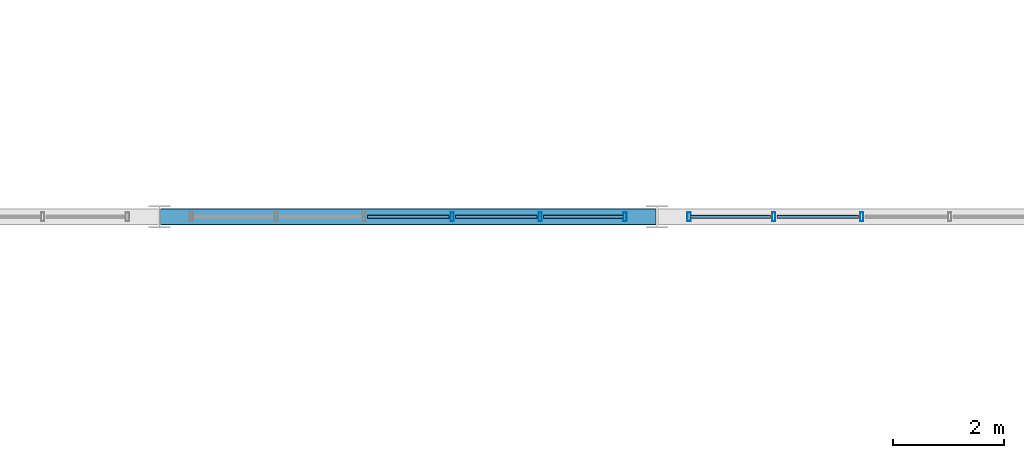
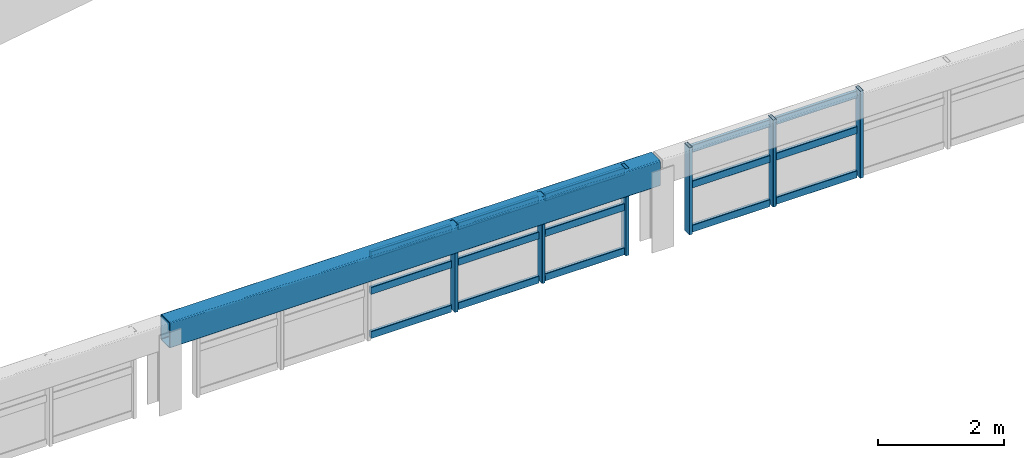
# One storey, part 16 of 128: 21 members, 1 beam, 2 elements without a shape of their own.
"""IFC4 building model written with IfcOpenShell, lengths in metres."""

from ifc_helpers import new_model, si_unit, derived_unit, direction, frame, origin, origin_2d, place, context, subcontext, project, spatial, hollow_rectangle, extrude, material, material_profile, profile_set, type_object, element, aggregate, save


model = new_model("IFC4")

# Units and contexts
model_context = context("Model", 3, precision=1e-05, world=origin(), true_north=direction((0.0, 1.0)))
body_context = subcontext(model_context, "Body", "Model", "MODEL_VIEW")
ifc_project = project(units=[si_unit("LENGTHUNIT", "METRE"), si_unit("AREAUNIT", "SQUARE_METRE"), si_unit("VOLUMEUNIT", "CUBIC_METRE"), si_unit("PLANEANGLEUNIT", "RADIAN"), si_unit("MASSUNIT", "GRAM", prefix="KILO"), derived_unit("THERMALTRANSMITTANCEUNIT", [(si_unit("MASSUNIT", "GRAM", prefix="KILO"), 1), (si_unit("TIMEUNIT", "SECOND"), -3), (si_unit("THERMODYNAMICTEMPERATUREUNIT", "KELVIN"), -1)])], contexts=[model_context])

# Site, building, storey
site_placement = place(None, origin())
site = spatial("IfcSite", under=ifc_project, at=site_placement, CompositionType="ELEMENT")
building_placement = place(site_placement, origin())
building = spatial("IfcBuilding", under=site, at=building_placement, Name="Zhenchuan Archway Interchange", CompositionType="ELEMENT")
storey_placement = place(building_placement, frame((0.0, 0.0, 14.39990234375)))
storey = spatial("IfcBuildingStorey", under=building, at=storey_placement, Name="L03", CompositionType="ELEMENT", Elevation=14.39990234375)

# Beam
ifc_material_1 = material(Name="Steel Q390", Category="steel")
ifc_material_profile_1 = material_profile(ifc_material_1, hollow_rectangle(XDim=0.300048828125, YDim=0.5, WallThickness=0.01611328125, InnerFilletRadius=0.01611328125, OuterFilletRadius=0.031982421875, at=origin_2d()), Name="RHS 500x300x16")
ifc_profile_set_1 = profile_set([ifc_material_profile_1], Name="Steel Q390")
beam_type = type_object("IfcBeamType", Name="BM_RING_RHS500", PredefinedType="BEAM", material=ifc_profile_set_1)
beam_placement = place(storey_placement, frame((45.02001953125, 24.0, 1.4501953125), z_axis=(1.0, 0.0, 0.0), x_axis=(0.0, 1.0, 0.0)))
element("IfcBeam", 1, at=beam_placement, inside=storey, type_object=beam_type, Name="CONCOURSE CABLE-NET RING BEAM S-3", PredefinedType="BEAM", context=body_context, shape_type="SweptSolid", body=[
    extrude(hollow_rectangle(XDim=0.300048828125, YDim=0.5, WallThickness=0.01611328125, InnerFilletRadius=0.01611328125, OuterFilletRadius=0.031982421875, at=origin_2d()), origin(), (0.0, 0.0, 1.0), 8.9599609375),
])

# Curtain wall, members
ifc_material_2 = material(Name="Anodised Aluminium", Category="aluminium")
curtain_wall_type = type_object("IfcCurtainWallType", Name="CW_UNIT_4", PredefinedType="NOTDEFINED", material=ifc_material_2)
curtain_wall_1_placement = place(storey_placement, origin())
curtain_wall_1 = element("IfcCurtainWall", 2, at=curtain_wall_1_placement, inside=storey, type_object=curtain_wall_type, Name="Unitised curtain wall CW:L03:RING-S3", PredefinedType="NOTDEFINED")
ifc_material_profile_2 = material_profile(ifc_material_2, hollow_rectangle(XDim=0.06005859375, YDim=0.159912109375, WallThickness=0.00390625, InnerFilletRadius=0.00390625, OuterFilletRadius=0.008056640625, at=origin_2d()), Name="ALU 160x60x4")
ifc_profile_set_2 = profile_set([ifc_material_profile_2], Name="Anodised Aluminium")
member_type_1 = type_object("IfcMemberType", Name="CW_MUL_150", PredefinedType="MULLION", material=ifc_profile_set_2)
member_1_placement = place(storey_placement, frame((50.2958984375, 24.0, 0.02001953125), z_axis=(0.0, 0.0, 1.0), x_axis=(1.0, 0.0, 0.0)))
member_1 = element("IfcMember", 3, at=member_1_placement, type_object=member_type_1, Name="CW:L03:RING-S3 mullion 3", PredefinedType="MULLION", context=body_context, shape_type="SweptSolid", body=[
    extrude(hollow_rectangle(XDim=0.06005859375, YDim=0.159912109375, WallThickness=0.00390625, InnerFilletRadius=0.00390625, OuterFilletRadius=0.008056640625, at=origin_2d()), origin(), (0.0, 0.0, 1.0), 1.68017578125),
])
member_2_placement = place(storey_placement, frame((51.887939453125, 24.0, 0.02001953125), z_axis=(0.0, 0.0, 1.0), x_axis=(1.0, 0.0, 0.0)))
member_2 = element("IfcMember", 4, at=member_2_placement, type_object=member_type_1, Name="CW:L03:RING-S3 mullion 4", PredefinedType="MULLION", context=body_context, shape_type="SweptSolid", body=[
    extrude(hollow_rectangle(XDim=0.06005859375, YDim=0.159912109375, WallThickness=0.00390625, InnerFilletRadius=0.00390625, OuterFilletRadius=0.008056640625, at=origin_2d()), origin(), (0.0, 0.0, 1.0), 1.68017578125),
])
member_3_placement = place(storey_placement, frame((53.419921875, 24.0, 0.02001953125), z_axis=(0.0, 0.0, 1.0), x_axis=(1.0, 0.0, 0.0)))
member_3 = element("IfcMember", 5, at=member_3_placement, type_object=member_type_1, Name="CW:L03:RING-S3 mullion 5", PredefinedType="MULLION", context=body_context, shape_type="SweptSolid", body=[
    extrude(hollow_rectangle(XDim=0.06005859375, YDim=0.159912109375, WallThickness=0.00390625, InnerFilletRadius=0.00390625, OuterFilletRadius=0.008056640625, at=origin_2d()), origin(), (0.0, 0.0, 1.0), 1.68017578125),
])

curtain_wall_2_placement = place(storey_placement, origin())
curtain_wall_2 = element("IfcCurtainWall", 6, at=curtain_wall_2_placement, inside=storey, type_object=curtain_wall_type, Name="Unitised curtain wall CW:L03:RING-S4", PredefinedType="NOTDEFINED")
member_4_placement = place(storey_placement, frame((54.580078125, 24.0, 0.02001953125), z_axis=(0.0, 0.0, 1.0), x_axis=(1.0, 0.0, 0.0)))
member_4 = element("IfcMember", 7, at=member_4_placement, type_object=member_type_1, Name="CW:L03:RING-S4 mullion 0", PredefinedType="MULLION", context=body_context, shape_type="SweptSolid", body=[
    extrude(hollow_rectangle(XDim=0.06005859375, YDim=0.159912109375, WallThickness=0.00390625, InnerFilletRadius=0.00390625, OuterFilletRadius=0.008056640625, at=origin_2d()), origin(), (0.0, 0.0, 1.0), 1.68017578125),
])
member_5_placement = place(storey_placement, frame((56.112060546875, 24.0, 0.02001953125), z_axis=(0.0, 0.0, 1.0), x_axis=(1.0, 0.0, 0.0)))
member_5 = element("IfcMember", 8, at=member_5_placement, type_object=member_type_1, Name="CW:L03:RING-S4 mullion 1", PredefinedType="MULLION", context=body_context, shape_type="SweptSolid", body=[
    extrude(hollow_rectangle(XDim=0.06005859375, YDim=0.159912109375, WallThickness=0.00390625, InnerFilletRadius=0.00390625, OuterFilletRadius=0.008056640625, at=origin_2d()), origin(), (0.0, 0.0, 1.0), 1.68017578125),
])
member_6_placement = place(storey_placement, frame((57.7041015625, 24.0, 0.02001953125), z_axis=(0.0, 0.0, 1.0), x_axis=(1.0, 0.0, 0.0)))
member_6 = element("IfcMember", 9, at=member_6_placement, type_object=member_type_1, Name="CW:L03:RING-S4 mullion 2", PredefinedType="MULLION", context=body_context, shape_type="SweptSolid", body=[
    extrude(hollow_rectangle(XDim=0.06005859375, YDim=0.159912109375, WallThickness=0.00390625, InnerFilletRadius=0.00390625, OuterFilletRadius=0.008056640625, at=origin_2d()), origin(), (0.0, 0.0, 1.0), 1.68017578125),
])

# Member
ifc_material_profile_3 = material_profile(ifc_material_2, hollow_rectangle(XDim=0.06005859375, YDim=0.139892578125, WallThickness=0.00341796875, InnerFilletRadius=0.00341796875, OuterFilletRadius=0.007080078125, at=origin_2d()), Name="ALU 140x60x3.5")
ifc_profile_set_3 = profile_set([ifc_material_profile_3], Name="Anodised Aluminium")
member_type_2 = type_object("IfcMemberType", Name="CW_TRN_140", PredefinedType="USERDEFINED", material=ifc_profile_set_3)
member_7_placement = place(storey_placement, frame((48.763916015625, 24.0, 0.080078125), z_axis=(1.0, 0.0, 0.0), x_axis=(0.0, 1.0, 0.0)))
member_7 = element("IfcMember", 10, at=member_7_placement, type_object=member_type_2, Name="CW:L03:RING-S3 transom 2-1", ObjectType="TRANSOM", PredefinedType="USERDEFINED", context=body_context, shape_type="SweptSolid", body=[
    extrude(hollow_rectangle(XDim=0.06005859375, YDim=0.139892578125, WallThickness=0.00341796875, InnerFilletRadius=0.00341796875, OuterFilletRadius=0.007080078125, at=origin_2d()), origin(), (0.0, 0.0, 1.0), 1.47216796875),
])

member_8_placement = place(storey_placement, frame((48.763916015625, 24.0, 0.93310546875), z_axis=(1.0, 0.0, 0.0), x_axis=(0.0, 1.0, 0.0)))
member_8 = element("IfcMember", 11, at=member_8_placement, type_object=member_type_2, Name="CW:L03:RING-S3 transom 2-2", ObjectType="TRANSOM", PredefinedType="USERDEFINED", context=body_context, shape_type="SweptSolid", body=[
    extrude(hollow_rectangle(XDim=0.06005859375, YDim=0.139892578125, WallThickness=0.00341796875, InnerFilletRadius=0.00341796875, OuterFilletRadius=0.007080078125, at=origin_2d()), origin(), (0.0, 0.0, 1.0), 1.47216796875),
])

member_9_placement = place(storey_placement, frame((48.763916015625, 24.0, 1.6201171875), z_axis=(1.0, 0.0, 0.0), x_axis=(0.0, 1.0, 0.0)))
member_9 = element("IfcMember", 12, at=member_9_placement, type_object=member_type_2, Name="CW:L03:RING-S3 transom 2-3", ObjectType="TRANSOM", PredefinedType="USERDEFINED", context=body_context, shape_type="SweptSolid", body=[
    extrude(hollow_rectangle(XDim=0.06005859375, YDim=0.139892578125, WallThickness=0.00341796875, InnerFilletRadius=0.00341796875, OuterFilletRadius=0.007080078125, at=origin_2d()), origin(), (0.0, 0.0, 1.0), 1.47216796875),
])

member_10_placement = place(storey_placement, frame((50.35595703125, 24.0, 0.080078125), z_axis=(1.0, 0.0, 0.0), x_axis=(0.0, 1.0, 0.0)))
member_10 = element("IfcMember", 13, at=member_10_placement, type_object=member_type_2, Name="CW:L03:RING-S3 transom 3-1", ObjectType="TRANSOM", PredefinedType="USERDEFINED", context=body_context, shape_type="SweptSolid", body=[
    extrude(hollow_rectangle(XDim=0.06005859375, YDim=0.139892578125, WallThickness=0.00341796875, InnerFilletRadius=0.00341796875, OuterFilletRadius=0.007080078125, at=origin_2d()), origin(), (0.0, 0.0, 1.0), 1.471923828125),
])

member_11_placement = place(storey_placement, frame((50.35595703125, 24.0, 0.93310546875), z_axis=(1.0, 0.0, 0.0), x_axis=(0.0, 1.0, 0.0)))
member_11 = element("IfcMember", 14, at=member_11_placement, type_object=member_type_2, Name="CW:L03:RING-S3 transom 3-2", ObjectType="TRANSOM", PredefinedType="USERDEFINED", context=body_context, shape_type="SweptSolid", body=[
    extrude(hollow_rectangle(XDim=0.06005859375, YDim=0.139892578125, WallThickness=0.00341796875, InnerFilletRadius=0.00341796875, OuterFilletRadius=0.007080078125, at=origin_2d()), origin(), (0.0, 0.0, 1.0), 1.471923828125),
])

member_12_placement = place(storey_placement, frame((50.35595703125, 24.0, 1.6201171875), z_axis=(1.0, 0.0, 0.0), x_axis=(0.0, 1.0, 0.0)))
member_12 = element("IfcMember", 15, at=member_12_placement, type_object=member_type_2, Name="CW:L03:RING-S3 transom 3-3", ObjectType="TRANSOM", PredefinedType="USERDEFINED", context=body_context, shape_type="SweptSolid", body=[
    extrude(hollow_rectangle(XDim=0.06005859375, YDim=0.139892578125, WallThickness=0.00341796875, InnerFilletRadius=0.00341796875, OuterFilletRadius=0.007080078125, at=origin_2d()), origin(), (0.0, 0.0, 1.0), 1.471923828125),
])

member_13_placement = place(storey_placement, frame((51.947998046875, 24.0, 0.080078125), z_axis=(1.0, 0.0, 0.0), x_axis=(0.0, 1.0, 0.0)))
member_13 = element("IfcMember", 16, at=member_13_placement, type_object=member_type_2, Name="CW:L03:RING-S3 transom 4-1", ObjectType="TRANSOM", PredefinedType="USERDEFINED", context=body_context, shape_type="SweptSolid", body=[
    extrude(hollow_rectangle(XDim=0.06005859375, YDim=0.139892578125, WallThickness=0.00341796875, InnerFilletRadius=0.00341796875, OuterFilletRadius=0.007080078125, at=origin_2d()), origin(), (0.0, 0.0, 1.0), 1.451904296875),
])

member_14_placement = place(storey_placement, frame((51.947998046875, 24.0, 0.93310546875), z_axis=(1.0, 0.0, 0.0), x_axis=(0.0, 1.0, 0.0)))
member_14 = element("IfcMember", 17, at=member_14_placement, type_object=member_type_2, Name="CW:L03:RING-S3 transom 4-2", ObjectType="TRANSOM", PredefinedType="USERDEFINED", context=body_context, shape_type="SweptSolid", body=[
    extrude(hollow_rectangle(XDim=0.06005859375, YDim=0.139892578125, WallThickness=0.00341796875, InnerFilletRadius=0.00341796875, OuterFilletRadius=0.007080078125, at=origin_2d()), origin(), (0.0, 0.0, 1.0), 1.451904296875),
])

member_15_placement = place(storey_placement, frame((51.947998046875, 24.0, 1.6201171875), z_axis=(1.0, 0.0, 0.0), x_axis=(0.0, 1.0, 0.0)))
member_15 = element("IfcMember", 18, at=member_15_placement, type_object=member_type_2, Name="CW:L03:RING-S3 transom 4-3", ObjectType="TRANSOM", PredefinedType="USERDEFINED", context=body_context, shape_type="SweptSolid", body=[
    extrude(hollow_rectangle(XDim=0.06005859375, YDim=0.139892578125, WallThickness=0.00341796875, InnerFilletRadius=0.00341796875, OuterFilletRadius=0.007080078125, at=origin_2d()), origin(), (0.0, 0.0, 1.0), 1.451904296875),
])

aggregate(curtain_wall_1, [member_1, member_2, member_3, member_7, member_8, member_9, member_10, member_11, member_12, member_13, member_14, member_15])

member_16_placement = place(storey_placement, frame((54.60009765625, 24.0, 0.080078125), z_axis=(1.0, 0.0, 0.0), x_axis=(0.0, 1.0, 0.0)))
member_16 = element("IfcMember", 19, at=member_16_placement, type_object=member_type_2, Name="CW:L03:RING-S4 transom 0-1", ObjectType="TRANSOM", PredefinedType="USERDEFINED", context=body_context, shape_type="SweptSolid", body=[
    extrude(hollow_rectangle(XDim=0.06005859375, YDim=0.139892578125, WallThickness=0.00341796875, InnerFilletRadius=0.00341796875, OuterFilletRadius=0.007080078125, at=origin_2d()), origin(), (0.0, 0.0, 1.0), 1.451904296875),
])

member_17_placement = place(storey_placement, frame((54.60009765625, 24.0, 0.93310546875), z_axis=(1.0, 0.0, 0.0), x_axis=(0.0, 1.0, 0.0)))
member_17 = element("IfcMember", 20, at=member_17_placement, type_object=member_type_2, Name="CW:L03:RING-S4 transom 0-2", ObjectType="TRANSOM", PredefinedType="USERDEFINED", context=body_context, shape_type="SweptSolid", body=[
    extrude(hollow_rectangle(XDim=0.06005859375, YDim=0.139892578125, WallThickness=0.00341796875, InnerFilletRadius=0.00341796875, OuterFilletRadius=0.007080078125, at=origin_2d()), origin(), (0.0, 0.0, 1.0), 1.451904296875),
])

member_18_placement = place(storey_placement, frame((54.60009765625, 24.0, 1.6201171875), z_axis=(1.0, 0.0, 0.0), x_axis=(0.0, 1.0, 0.0)))
member_18 = element("IfcMember", 21, at=member_18_placement, type_object=member_type_2, Name="CW:L03:RING-S4 transom 0-3", ObjectType="TRANSOM", PredefinedType="USERDEFINED", context=body_context, shape_type="SweptSolid", body=[
    extrude(hollow_rectangle(XDim=0.06005859375, YDim=0.139892578125, WallThickness=0.00341796875, InnerFilletRadius=0.00341796875, OuterFilletRadius=0.007080078125, at=origin_2d()), origin(), (0.0, 0.0, 1.0), 1.451904296875),
])

member_19_placement = place(storey_placement, frame((56.172119140625, 24.0, 0.080078125), z_axis=(1.0, 0.0, 0.0), x_axis=(0.0, 1.0, 0.0)))
member_19 = element("IfcMember", 22, at=member_19_placement, type_object=member_type_2, Name="CW:L03:RING-S4 transom 1-1", ObjectType="TRANSOM", PredefinedType="USERDEFINED", context=body_context, shape_type="SweptSolid", body=[
    extrude(hollow_rectangle(XDim=0.06005859375, YDim=0.139892578125, WallThickness=0.00341796875, InnerFilletRadius=0.00341796875, OuterFilletRadius=0.007080078125, at=origin_2d()), origin(), (0.0, 0.0, 1.0), 1.471923828125),
])

member_20_placement = place(storey_placement, frame((56.172119140625, 24.0, 0.93310546875), z_axis=(1.0, 0.0, 0.0), x_axis=(0.0, 1.0, 0.0)))
member_20 = element("IfcMember", 23, at=member_20_placement, type_object=member_type_2, Name="CW:L03:RING-S4 transom 1-2", ObjectType="TRANSOM", PredefinedType="USERDEFINED", context=body_context, shape_type="SweptSolid", body=[
    extrude(hollow_rectangle(XDim=0.06005859375, YDim=0.139892578125, WallThickness=0.00341796875, InnerFilletRadius=0.00341796875, OuterFilletRadius=0.007080078125, at=origin_2d()), origin(), (0.0, 0.0, 1.0), 1.471923828125),
])

member_21_placement = place(storey_placement, frame((56.172119140625, 24.0, 1.6201171875), z_axis=(1.0, 0.0, 0.0), x_axis=(0.0, 1.0, 0.0)))
member_21 = element("IfcMember", 24, at=member_21_placement, type_object=member_type_2, Name="CW:L03:RING-S4 transom 1-3", ObjectType="TRANSOM", PredefinedType="USERDEFINED", context=body_context, shape_type="SweptSolid", body=[
    extrude(hollow_rectangle(XDim=0.06005859375, YDim=0.139892578125, WallThickness=0.00341796875, InnerFilletRadius=0.00341796875, OuterFilletRadius=0.007080078125, at=origin_2d()), origin(), (0.0, 0.0, 1.0), 1.471923828125),
])

aggregate(curtain_wall_2, [member_4, member_5, member_6, member_16, member_17, member_18, member_19, member_20, member_21])

save(model, "model.ifc")
